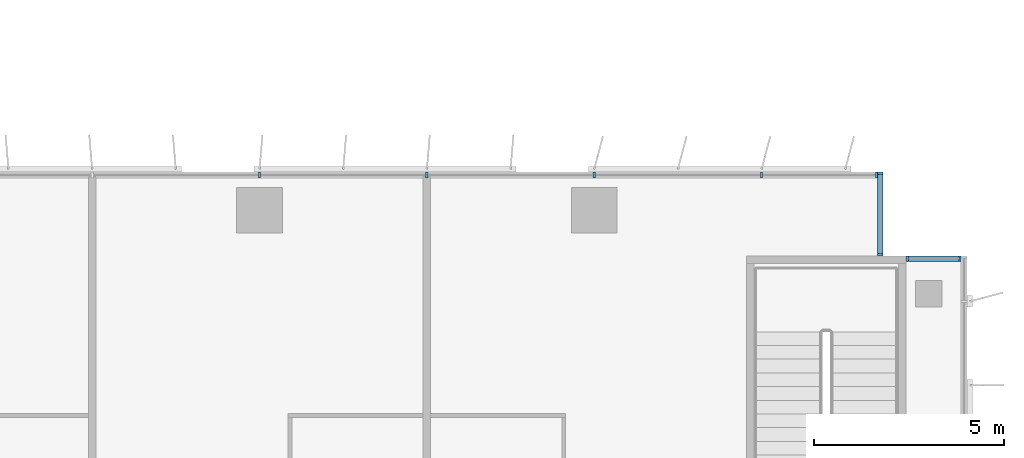
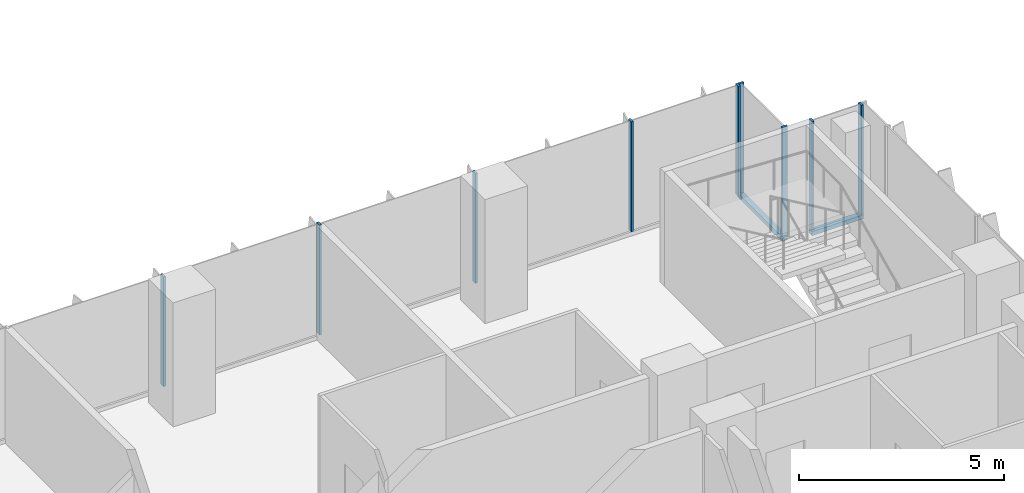
# One storey, part 4 of 22: 11 members, 3 elements without a shape of their own.
"""IFC4 building model written with IfcOpenShell, lengths in metres."""

from ifc_helpers import new_model, si_unit, direction, frame, origin, origin_2d, place, context, subcontext, project, spatial, rectangle, extrude, source, transform, mapped, material, material_profile, profile_set, type_object, element, aggregate, save


model = new_model("IFC4")

# Units and contexts
model_context = context("Model", 3, precision=1e-05, world=origin(), true_north=direction((0.0, 1.0)))
body_context = subcontext(model_context, "Body", "Model", "MODEL_VIEW")
ifc_project = project(units=[si_unit("LENGTHUNIT", "METRE"), si_unit("AREAUNIT", "SQUARE_METRE"), si_unit("VOLUMEUNIT", "CUBIC_METRE"), si_unit("PLANEANGLEUNIT", "RADIAN"), si_unit("MASSUNIT", "GRAM", prefix="KILO")], contexts=[model_context])

# Site, building, storey
site_placement = place(None, origin())
site = spatial("IfcSite", under=ifc_project, at=site_placement, CompositionType="ELEMENT")
building_placement = place(site_placement, origin())
building = spatial("IfcBuilding", under=site, at=building_placement, Name="Kemantara Hotel Tower", CompositionType="ELEMENT")
storey_placement = place(building_placement, frame((0.0, 0.0, 125.89990234375)))
storey = spatial("IfcBuildingStorey", under=building, at=storey_placement, Name="L30", CompositionType="ELEMENT", Elevation=125.89990234375)

# Curtain wall, member
ifc_material_1 = material(Name="Low-E tinted double insulated glass 36 mm", Category="glass")
curtain_wall_type = type_object("IfcCurtainWallType", Name="TOWER CURTAIN WALL, FRONT FACES", PredefinedType="USERDEFINED", material=ifc_material_1)
curtain_wall_1_placement = place(storey_placement, origin())
curtain_wall_1 = element("IfcCurtainWall", 1, at=curtain_wall_1_placement, inside=storey, type_object=curtain_wall_type, Name="CW4 L30 T2-R11-1", ObjectType="TOWER CURTAIN WALL, FRONT FACES", PredefinedType="USERDEFINED")
ifc_material_2 = material(Name="Aluminium 6063-T6 bronze anodised", Category="aluminium")
ifc_material_profile_1 = material_profile(ifc_material_2, rectangle(XDim=0.14990234375, YDim=0.1201171875, at=origin_2d()), Name="TOWER CURTAIN WALL, FRONT FACES TRANSOM")
ifc_profile_set_1 = profile_set([ifc_material_profile_1], Name="Aluminium 6063-T6 bronze anodised")
member_type_1 = type_object("IfcMemberType", Name="TOWER CURTAIN WALL, FRONT FACES TRANSOM", PredefinedType="USERDEFINED", material=ifc_profile_set_1)
member_1_placement = place(storey_placement, frame((63.449951171875, 19.72509765625, 0.06005859375), z_axis=(-1.0, 0.0, 0.0), x_axis=(0.0, -1.0, 0.0)))
member_1 = element("IfcMember", 2, at=member_1_placement, type_object=member_type_1, Name="CW4 sill transom T2-R11-1", ObjectType="TRANSOM", PredefinedType="USERDEFINED", context=body_context, shape_type="SweptSolid", body=[
    extrude(rectangle(XDim=0.14990234375, YDim=0.1201171875, at=origin_2d()), origin(), (0.0, 0.0, 1.0), 1.449951171875),
])

curtain_wall_2_placement = place(storey_placement, origin())
curtain_wall_2 = element("IfcCurtainWall", 3, at=curtain_wall_2_placement, inside=storey, type_object=curtain_wall_type, Name="CW4 L30 T2-R12-1", ObjectType="TOWER CURTAIN WALL, FRONT FACES", PredefinedType="USERDEFINED")
member_2_placement = place(storey_placement, frame((61.324951171875, 19.800048828125, 0.06005859375), z_axis=(0.0, 1.0, 0.0), x_axis=(-1.0, 0.0, 0.0)))
member_2 = element("IfcMember", 4, at=member_2_placement, type_object=member_type_1, Name="CW4 sill transom T2-R12-1", ObjectType="TRANSOM", PredefinedType="USERDEFINED", context=body_context, shape_type="SweptSolid", body=[
    extrude(rectangle(XDim=0.14990234375, YDim=0.1201171875, at=origin_2d()), origin(), (0.0, 0.0, 1.0), 2.199951171875),
])

# Curtain wall, members
curtain_wall_3_placement = place(storey_placement, origin())
curtain_wall_3 = element("IfcCurtainWall", 5, at=curtain_wall_3_placement, inside=storey, type_object=curtain_wall_type, Name="CW4 L30 T2-R13-1", ObjectType="TOWER CURTAIN WALL, FRONT FACES", PredefinedType="USERDEFINED")
ifc_material_profile_2 = material_profile(ifc_material_2, rectangle(XDim=0.14990234375, YDim=0.06005859375, at=origin_2d()), Name="TOWER CURTAIN WALL, FRONT FACES MULLION")
ifc_profile_set_2 = profile_set([ifc_material_profile_2], Name="Aluminium 6063-T6 bronze anodised")
member_type_2 = type_object("IfcMemberType", Name="TOWER CURTAIN WALL, FRONT FACES MULLION", PredefinedType="MULLION", material=ifc_profile_set_2)
shared_shape = source(origin(), body_context, "Body", "SweptSolid", [
    extrude(rectangle(XDim=0.14990234375, YDim=0.06005859375, at=origin_2d()), origin(), (0.0, 0.0, 1.0), 3.280029296875),
])
member_3_placement = place(storey_placement, frame((61.219970703125, 21.925048828125, 0.1201171875), z_axis=(0.0, 0.0, 1.0), x_axis=(0.0, -1.0, 0.0)))
member_3 = element("IfcMember", 6, at=member_3_placement, type_object=member_type_2, Name="CW4 mullion T2-R13-1.1", PredefinedType="MULLION", context=body_context, shape_type="MappedRepresentation", body=[
    mapped(shared_shape, transform((0.0, 0.0, 0.0))),
])
member_4_placement = place(storey_placement, frame((58.199951171875, 21.925048828125, 0.1201171875), z_axis=(0.0, 0.0, 1.0), x_axis=(0.0, -1.0, 0.0)))
member_4 = element("IfcMember", 7, at=member_4_placement, type_object=member_type_2, Name="CW4 mullion T2-R13-1.2", PredefinedType="MULLION", context=body_context, shape_type="MappedRepresentation", body=[
    mapped(shared_shape, transform((0.0, 0.0, 0.0))),
])
member_5_placement = place(storey_placement, frame((53.800048828125, 21.925048828125, 0.1201171875), z_axis=(0.0, 0.0, 1.0), x_axis=(0.0, -1.0, 0.0)))
member_5 = element("IfcMember", 8, at=member_5_placement, type_object=member_type_2, Name="CW4 mullion T2-R13-1.3", PredefinedType="MULLION", context=body_context, shape_type="MappedRepresentation", body=[
    mapped(shared_shape, transform((0.0, 0.0, 0.0))),
])
member_6_placement = place(storey_placement, frame((49.39990234375, 21.925048828125, 0.1201171875), z_axis=(0.0, 0.0, 1.0), x_axis=(0.0, -1.0, 0.0)))
member_6 = element("IfcMember", 9, at=member_6_placement, type_object=member_type_2, Name="CW4 mullion T2-R13-1.4", PredefinedType="MULLION", context=body_context, shape_type="MappedRepresentation", body=[
    mapped(shared_shape, transform((0.0, 0.0, 0.0))),
])
member_7_placement = place(storey_placement, frame((45.0, 21.925048828125, 0.1201171875), z_axis=(0.0, 0.0, 1.0), x_axis=(0.0, -1.0, 0.0)))
member_7 = element("IfcMember", 10, at=member_7_placement, type_object=member_type_2, Name="CW4 mullion T2-R13-1.5", PredefinedType="MULLION", context=body_context, shape_type="MappedRepresentation", body=[
    mapped(shared_shape, transform((0.0, 0.0, 0.0))),
])
aggregate(curtain_wall_3, [member_3, member_4, member_5, member_6, member_7])

# Member
member_8_placement = place(storey_placement, frame((63.419921875, 19.72509765625, 0.1201171875), z_axis=(0.0, 0.0, 1.0), x_axis=(0.0, -1.0, 0.0)))
member_8 = element("IfcMember", 11, at=member_8_placement, type_object=member_type_2, Name="CW4 mullion T2-R11-1.1", PredefinedType="MULLION", context=body_context, shape_type="MappedRepresentation", body=[
    mapped(shared_shape, transform((0.0, 0.0, 0.0))),
])

member_9_placement = place(storey_placement, frame((62.030029296875, 19.72509765625, 0.1201171875), z_axis=(0.0, 0.0, 1.0), x_axis=(0.0, -1.0, 0.0)))
member_9 = element("IfcMember", 12, at=member_9_placement, type_object=member_type_2, Name="CW4 mullion T2-R11-1.2", PredefinedType="MULLION", context=body_context, shape_type="MappedRepresentation", body=[
    mapped(shared_shape, transform((0.0, 0.0, 0.0))),
])

aggregate(curtain_wall_1, [member_1, member_8, member_9])

member_10_placement = place(storey_placement, frame((61.324951171875, 19.830078125, 0.1201171875), z_axis=(0.0, 0.0, 1.0), x_axis=(-1.0, 0.0, 0.0)))
member_10 = element("IfcMember", 13, at=member_10_placement, type_object=member_type_2, Name="CW4 mullion T2-R12-1.1", PredefinedType="MULLION", context=body_context, shape_type="MappedRepresentation", body=[
    mapped(shared_shape, transform((0.0, 0.0, 0.0))),
])

member_11_placement = place(storey_placement, frame((61.324951171875, 21.969970703125, 0.1201171875), z_axis=(0.0, 0.0, 1.0), x_axis=(-1.0, 0.0, 0.0)))
member_11 = element("IfcMember", 14, at=member_11_placement, type_object=member_type_2, Name="CW4 mullion T2-R12-1.2", PredefinedType="MULLION", context=body_context, shape_type="MappedRepresentation", body=[
    mapped(shared_shape, transform((0.0, 0.0, 0.0))),
])

aggregate(curtain_wall_2, [member_2, member_10, member_11])

save(model, "model.ifc")
